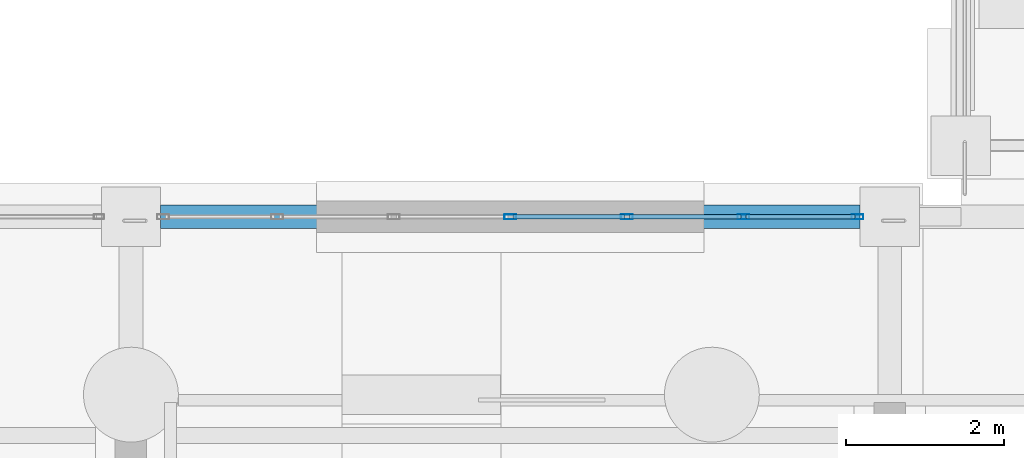
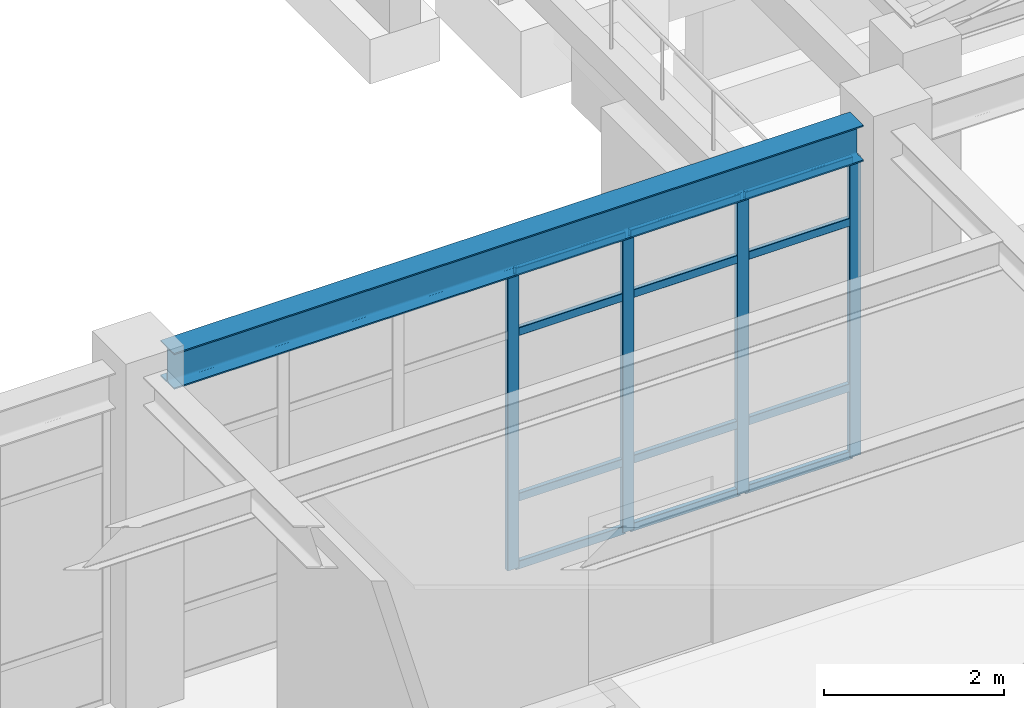
# One storey, part 51 of 111: 16 members, 1 beam, 1 element without a shape of its own.
"""IFC4 building model written with IfcOpenShell, lengths in metres."""

import ifcopenshell
import ifcopenshell.guid

model = None  # the IFC model being written
_history = None  # IfcOwnerHistory: only IFC2X3 demands one
_inside = {}  # id of a spatial element -> (the spatial element, [elements in it])
_under = {}  # id of a project, library or spatial element -> (it, [spatial elements below it])
_declared = {}  # id of a project -> (the project, [libraries it declares])
_typed = {}  # id of a type object -> (the type object, [elements of that type])
_made_of = {}  # id of a material, layer set ... -> (it, [elements and type objects made of it])


def new_model(schema):
    """Start an empty IFC model of exactly this schema.

    Asked for "IFC4X3", IfcOpenShell would pick the latest addendum, in which some entities
    have other attributes; the version numbers below select the first issue.
    IFC2X3 requires an IfcOwnerHistory on every rooted entity: one is made here for all.
    """
    global model, _history
    if schema == "IFC4X3":
        model = ifcopenshell.file(schema_version=(4, 3, 0, 0))
    else:
        model = ifcopenshell.file(schema=schema)
    _inside.clear()
    _under.clear()
    _declared.clear()
    _typed.clear()
    _made_of.clear()
    _history = None
    if model.schema == "IFC2X3":
        org = make("IfcOrganization", Name="unknown")
        user = make(
            "IfcPersonAndOrganization",
            ThePerson=make("IfcPerson", FamilyName="unknown"),
            TheOrganization=org,
        )
        app = make(
            "IfcApplication",
            ApplicationDeveloper=org,
            Version="unknown",
            ApplicationFullName="unknown",
            ApplicationIdentifier="unknown",
        )
        _history = make(
            "IfcOwnerHistory",
            OwningUser=user,
            OwningApplication=app,
            ChangeAction="ADDED",
            CreationDate=0,
        )
    return model


def make(cls, **values):
    """One entity of the class cls with the attributes given. An attribute that is None is left unset."""
    return model.create_entity(
        cls, **{name: value for name, value in values.items() if value is not None}
    )


def rooted(cls, **values):
    """An entity with a GlobalId (a new one), such as an element, a storey or a relation."""
    return make(cls, GlobalId=ifcopenshell.guid.new(), OwnerHistory=_history, **values)


def si_unit(unit_type, name, prefix=None):
    """IfcSIUnit, for example si_unit("LENGTHUNIT", "METRE", prefix="MILLI")."""
    return make("IfcSIUnit", UnitType=unit_type, Prefix=prefix, Name=name)


def assignment(units):
    """IfcUnitAssignment: the units of a project."""
    return None if units is None else make("IfcUnitAssignment", Units=units)


def point(xyz):
    """IfcCartesianPoint."""
    return None if xyz is None else make("IfcCartesianPoint", Coordinates=xyz)


def direction(xyz):
    """IfcDirection."""
    return None if xyz is None else make("IfcDirection", DirectionRatios=xyz)


def frame(location, z_axis=None, x_axis=None):
    """IfcAxis2Placement3D, a coordinate frame: its origin and axes. An axis left out is left unset."""
    return make(
        "IfcAxis2Placement3D",
        Location=point(location),
        Axis=direction(z_axis),
        RefDirection=direction(x_axis),
    )


def frame_2d(location, x_axis=None):
    """IfcAxis2Placement2D, a coordinate frame in the plane: its origin and x axis."""
    return make(
        "IfcAxis2Placement2D", Location=point(location), RefDirection=direction(x_axis)
    )


def origin():
    """The frame at (0, 0, 0) with its axes left unset."""
    return frame((0.0, 0.0, 0.0))


def origin_2d():
    """The frame at (0, 0) in the plane with its x axis left unset."""
    return frame_2d((0.0, 0.0))


def place(relative_to, where):
    """IfcLocalPlacement: puts the frame where relative to a parent placement (None: the world)."""
    return make(
        "IfcLocalPlacement", PlacementRelTo=relative_to, RelativePlacement=where
    )


def context(
    kind, dimensions, precision=None, world=None, true_north=None, identifier=None
):
    """IfcGeometricRepresentationContext, for example the 3D "Model" context."""
    return make(
        "IfcGeometricRepresentationContext",
        ContextIdentifier=identifier,
        ContextType=kind,
        CoordinateSpaceDimension=dimensions,
        Precision=precision,
        WorldCoordinateSystem=world,
        TrueNorth=true_north,
    )


def subcontext(parent, identifier, kind, view, scale=None):
    """IfcGeometricRepresentationSubContext, for example "Body" below "Model"."""
    return make(
        "IfcGeometricRepresentationSubContext",
        ContextIdentifier=identifier,
        ContextType=kind,
        ParentContext=parent,
        TargetScale=scale,
        TargetView=view,
    )


def project(units=None, contexts=None):
    """IfcProject with its units and contexts."""
    return rooted(
        "IfcProject",
        Name="project",
        RepresentationContexts=contexts,
        UnitsInContext=assignment(units),
    )


def spatial(cls, under=None, at=None, **own):
    """A site, building, storey or space (cls), placed at a placement, below another one or the project."""
    s = rooted(cls, ObjectPlacement=at, **own)
    if under is not None:
        _under.setdefault(under.id(), (under, []))[1].append(s)
    return s


def profile(cls, at=None, kind="AREA", **sizes):
    """A parametric profile (cls). Its sizes go by their IFC names, for example OverallWidth=200.0."""
    return make(cls, ProfileType=kind, Position=at, **sizes)


def hollow_rectangle(**sizes):
    """IfcRectangleHollowProfileDef."""
    return profile("IfcRectangleHollowProfileDef", **sizes)


def i_section(**sizes):
    """IfcIShapeProfileDef."""
    return profile("IfcIShapeProfileDef", **sizes)


def extrude(swept, where, along, depth):
    """IfcExtrudedAreaSolid: the profile swept, set in the frame where, extruded along a direction by depth."""
    return make(
        "IfcExtrudedAreaSolid",
        SweptArea=swept,
        Position=where,
        ExtrudedDirection=direction(along),
        Depth=depth,
    )


def shape(context_of_items, identifier, shape_type, items):
    """IfcShapeRepresentation: the items that make up one representation, for example the "Body"."""
    return make(
        "IfcShapeRepresentation",
        ContextOfItems=context_of_items,
        RepresentationIdentifier=identifier,
        RepresentationType=shape_type,
        Items=items,
    )


def material(Name=None, Category=None):
    """IfcMaterial."""
    return make("IfcMaterial", Name=Name, Category=Category)


def material_profile(
    of_material, cross_section, Name=None, Category=None, Priority=None
):
    """IfcMaterialProfile: a cross section and its material."""
    return make(
        "IfcMaterialProfile",
        Name=Name,
        Material=of_material,
        Profile=cross_section,
        Priority=Priority,
        Category=Category,
    )


def profile_set(profiles, Name=None, composite=None):
    """IfcMaterialProfileSet."""
    return make(
        "IfcMaterialProfileSet",
        Name=Name,
        MaterialProfiles=profiles,
        CompositeProfile=composite,
    )


def made_of(thing, what):
    """Note that an element or type object is made of a material, layer set ...; save() writes the relation."""
    if what is not None:
        _made_of.setdefault(what.id(), (what, []))[1].append(thing)
    return thing


def type_object(cls, material=None, **own):
    """A type object (cls), such as IfcWallType, which elements share."""
    return made_of(rooted(cls, **own), material)


def element(
    cls,
    number,
    at=None,
    inside=None,
    cuts=None,
    type_object=None,
    material=None,
    context=None,
    identifier="Body",
    shape_type=None,
    held_by="IfcProductDefinitionShape",
    body=None,
    shapes=None,
    **own,
):
    """One element of the class cls, such as IfcWall. Its Tag is "e" and its number.

    at: its placement. inside: the storey or other place that contains it. cuts: it is an
    opening in that element (IfcRelVoidsElement). A single representation is given by context,
    identifier, shape_type and body (its items); several are given by shapes. held_by: the class
    of the entity that holds the representations. save() writes the other relations.
    """
    e = rooted(cls, Tag="e%d" % number, ObjectPlacement=at, **own)
    if body is not None:
        shapes = [shape(context, identifier, shape_type, body)]
    if shapes is not None:
        e.Representation = make(held_by, Representations=shapes)
    if inside is not None:
        _inside.setdefault(inside.id(), (inside, []))[1].append(e)
    if cuts is not None:
        rooted(
            "IfcRelVoidsElement", RelatingBuildingElement=cuts, RelatedOpeningElement=e
        )
    if type_object is not None:
        _typed.setdefault(type_object.id(), (type_object, []))[1].append(e)
    return made_of(e, material)


def aggregate(whole, parts):
    """IfcRelAggregates: a whole, such as a stair, and the parts it consists of."""
    return rooted("IfcRelAggregates", RelatingObject=whole, RelatedObjects=parts)


def save(model, path):
    """Write the relations noted so far, then the file.

    IfcRelAggregates (storeys below a building ...), IfcRelContainedInSpatialStructure (elements
    in a storey), IfcRelDefinesByType, IfcRelAssociatesMaterial and IfcRelDeclares: one each for
    every whole, place, type object, material and project.
    """
    for whole, parts in _under.values():
        aggregate(whole, parts)
    for where, things in _inside.values():
        rooted(
            "IfcRelContainedInSpatialStructure",
            RelatedElements=things,
            RelatingStructure=where,
        )
    for kind, things in _typed.values():
        rooted("IfcRelDefinesByType", RelatedObjects=things, RelatingType=kind)
    for what, things in _made_of.values():
        rooted("IfcRelAssociatesMaterial", RelatedObjects=things, RelatingMaterial=what)
    for by, libraries in _declared.values():
        rooted("IfcRelDeclares", RelatingContext=by, RelatedDefinitions=libraries)
    model.write(path)


model = new_model("IFC4")

# Units and contexts
model_context = context("Model", 3, precision=1e-05, world=origin(), true_north=direction((0.0, 1.0)))
body_context = subcontext(model_context, "Body", "Model", "MODEL_VIEW")
ifc_project = project(units=[si_unit("LENGTHUNIT", "METRE"), si_unit("AREAUNIT", "SQUARE_METRE"), si_unit("VOLUMEUNIT", "CUBIC_METRE"), si_unit("PLANEANGLEUNIT", "RADIAN"), si_unit("MASSUNIT", "GRAM", prefix="KILO")], contexts=[model_context])

# Site, building, storey
site_placement = place(None, origin())
site = spatial("IfcSite", under=ifc_project, at=site_placement, CompositionType="ELEMENT")
building_placement = place(site_placement, origin())
building = spatial("IfcBuilding", under=site, at=building_placement, Name="Canglan Escarpment Cableway Terminal", CompositionType="ELEMENT")
storey_placement = place(building_placement, frame((0.0, 0.0, 4.800048828125)))
storey = spatial("IfcBuildingStorey", under=building, at=storey_placement, Name="L01", CompositionType="ELEMENT", Elevation=4.800048828125)

# Beam
ifc_material_1 = material(Name="Steel Q355B", Category="steel")
ifc_material_profile_1 = material_profile(ifc_material_1, i_section(OverallWidth=0.300048828125, OverallDepth=0.488037109375, WebThickness=0.010986328125, FlangeThickness=0.01806640625, FilletRadius=0.02587890625, at=origin_2d()), Name="HM 488x300x11x18")
ifc_profile_set_1 = profile_set([ifc_material_profile_1], Name="Steel Q355B")
beam_type = type_object("IfcBeamType", Name="BM-HM488", PredefinedType="BEAM", material=ifc_profile_set_1)
beam_placement = place(storey_placement, frame((157.175048828125, 33.10009765625, 4.305908203125), z_axis=(1.0, 0.0, 0.0), x_axis=(0.0, 1.0, 0.0)))
element("IfcBeam", 1, at=beam_placement, inside=storey, type_object=beam_type, Name="Primary structural girder B-09", PredefinedType="BEAM", context=body_context, shape_type="SweptSolid", body=[
    extrude(i_section(OverallWidth=0.300048828125, OverallDepth=0.488037109375, WebThickness=0.010986328125, FlangeThickness=0.01806640625, FilletRadius=0.02587890625, at=origin_2d()), origin(), (0.0, 0.0, 1.0), 8.849853515625),
])

# Curtain wall, members
ifc_material_2 = material(Name="Anodized bronze aluminium and Low-E double glazing", Category="aluminium")
curtain_wall_type = type_object("IfcCurtainWallType", Name="CW-BAY-8850x4050", PredefinedType="NOTDEFINED", material=ifc_material_2)
curtain_wall_placement = place(storey_placement, origin())
curtain_wall = element("IfcCurtainWall", 2, at=curtain_wall_placement, inside=storey, type_object=curtain_wall_type, Name="Classical bay-between-piers glazed curtain wall CW-25", PredefinedType="NOTDEFINED")
ifc_material_3 = material(Name="Thermally broken anodized aluminium 6063-T6", Category="aluminium")
ifc_material_profile_2 = material_profile(ifc_material_3, hollow_rectangle(XDim=0.06494140625, YDim=0.14990234375, WallThickness=0.00341796875, InnerFilletRadius=0.00341796875, OuterFilletRadius=0.007080078125, at=origin_2d()), Name="ALU-MULL 65x150x3.5")
ifc_profile_set_2 = profile_set([ifc_material_profile_2], Name="Thermally broken anodized aluminium 6063-T6")
member_type_1 = type_object("IfcMemberType", Name="CWM-02", PredefinedType="MULLION", material=ifc_profile_set_2)
member_1_placement = place(storey_placement, frame((165.992431640625, 33.10009765625, 0.0), z_axis=(0.0, 0.0, 1.0), x_axis=(0.0, -1.0, 0.0)))
member_1 = element("IfcMember", 3, at=member_1_placement, type_object=member_type_1, Name="CW-25 mullion 1", PredefinedType="MULLION", context=body_context, shape_type="SweptSolid", body=[
    extrude(hollow_rectangle(XDim=0.06494140625, YDim=0.14990234375, WallThickness=0.00341796875, InnerFilletRadius=0.00341796875, OuterFilletRadius=0.007080078125, at=origin_2d()), origin(), (0.0, 0.0, 1.0), 4.046875),
])
member_2_placement = place(storey_placement, frame((164.550048828125, 33.10009765625, 0.0), z_axis=(0.0, 0.0, 1.0), x_axis=(0.0, -1.0, 0.0)))
member_2 = element("IfcMember", 4, at=member_2_placement, type_object=member_type_1, Name="CW-25 mullion 2", PredefinedType="MULLION", context=body_context, shape_type="SweptSolid", body=[
    extrude(hollow_rectangle(XDim=0.06494140625, YDim=0.14990234375, WallThickness=0.00341796875, InnerFilletRadius=0.00341796875, OuterFilletRadius=0.007080078125, at=origin_2d()), origin(), (0.0, 0.0, 1.0), 4.046875),
])
member_3_placement = place(storey_placement, frame((163.074951171875, 33.10009765625, 0.0), z_axis=(0.0, 0.0, 1.0), x_axis=(0.0, -1.0, 0.0)))
member_3 = element("IfcMember", 5, at=member_3_placement, type_object=member_type_1, Name="CW-25 mullion 3", PredefinedType="MULLION", context=body_context, shape_type="SweptSolid", body=[
    extrude(hollow_rectangle(XDim=0.06494140625, YDim=0.14990234375, WallThickness=0.00341796875, InnerFilletRadius=0.00341796875, OuterFilletRadius=0.007080078125, at=origin_2d()), origin(), (0.0, 0.0, 1.0), 4.046875),
])
member_4_placement = place(storey_placement, frame((161.60009765625, 33.10009765625, 0.0), z_axis=(0.0, 0.0, 1.0), x_axis=(0.0, -1.0, 0.0)))
member_4 = element("IfcMember", 6, at=member_4_placement, type_object=member_type_1, Name="CW-25 mullion 4", PredefinedType="MULLION", context=body_context, shape_type="SweptSolid", body=[
    extrude(hollow_rectangle(XDim=0.06494140625, YDim=0.14990234375, WallThickness=0.00341796875, InnerFilletRadius=0.00341796875, OuterFilletRadius=0.007080078125, at=origin_2d()), origin(), (0.0, 0.0, 1.0), 4.046875),
])
ifc_material_profile_3 = material_profile(ifc_material_3, hollow_rectangle(XDim=0.06005859375, YDim=0.110107421875, WallThickness=0.0029296875, InnerFilletRadius=0.0029296875, OuterFilletRadius=0.006103515625, at=origin_2d()), Name="ALU-TRAN 60x110x3")
ifc_profile_set_3 = profile_set([ifc_material_profile_3], Name="Thermally broken anodized aluminium 6063-T6")
member_type_2 = type_object("IfcMemberType", Name="CWT-02", PredefinedType="USERDEFINED", material=ifc_profile_set_3)
member_5_placement = place(storey_placement, frame((165.9599609375, 33.10009765625, 0.030029296875), z_axis=(-1.0, 0.0, 0.0), x_axis=(0.0, -1.0, 0.0)))
member_5 = element("IfcMember", 7, at=member_5_placement, type_object=member_type_2, Name="CW-25 transom 1.1", ObjectType="TRANSOM", PredefinedType="USERDEFINED", context=body_context, shape_type="SweptSolid", body=[
    extrude(hollow_rectangle(XDim=0.06005859375, YDim=0.110107421875, WallThickness=0.0029296875, InnerFilletRadius=0.0029296875, OuterFilletRadius=0.006103515625, at=origin_2d()), origin(), (0.0, 0.0, 1.0), 1.37744140625),
])
member_6_placement = place(storey_placement, frame((165.9599609375, 33.10009765625, 0.949951171875), z_axis=(-1.0, 0.0, 0.0), x_axis=(0.0, -1.0, 0.0)))
member_6 = element("IfcMember", 8, at=member_6_placement, type_object=member_type_2, Name="CW-25 transom 1.2", ObjectType="TRANSOM", PredefinedType="USERDEFINED", context=body_context, shape_type="SweptSolid", body=[
    extrude(hollow_rectangle(XDim=0.06005859375, YDim=0.110107421875, WallThickness=0.0029296875, InnerFilletRadius=0.0029296875, OuterFilletRadius=0.006103515625, at=origin_2d()), origin(), (0.0, 0.0, 1.0), 1.37744140625),
])
member_7_placement = place(storey_placement, frame((165.9599609375, 33.10009765625, 3.197021484375), z_axis=(-1.0, 0.0, 0.0), x_axis=(0.0, -1.0, 0.0)))
member_7 = element("IfcMember", 9, at=member_7_placement, type_object=member_type_2, Name="CW-25 transom 1.3", ObjectType="TRANSOM", PredefinedType="USERDEFINED", context=body_context, shape_type="SweptSolid", body=[
    extrude(hollow_rectangle(XDim=0.06005859375, YDim=0.110107421875, WallThickness=0.0029296875, InnerFilletRadius=0.0029296875, OuterFilletRadius=0.006103515625, at=origin_2d()), origin(), (0.0, 0.0, 1.0), 1.37744140625),
])
member_8_placement = place(storey_placement, frame((165.9599609375, 33.10009765625, 4.016845703125), z_axis=(-1.0, 0.0, 0.0), x_axis=(0.0, -1.0, 0.0)))
member_8 = element("IfcMember", 10, at=member_8_placement, type_object=member_type_2, Name="CW-25 transom 1.4", ObjectType="TRANSOM", PredefinedType="USERDEFINED", context=body_context, shape_type="SweptSolid", body=[
    extrude(hollow_rectangle(XDim=0.06005859375, YDim=0.110107421875, WallThickness=0.0029296875, InnerFilletRadius=0.0029296875, OuterFilletRadius=0.006103515625, at=origin_2d()), origin(), (0.0, 0.0, 1.0), 1.37744140625),
])
member_9_placement = place(storey_placement, frame((164.517578125, 33.10009765625, 0.030029296875), z_axis=(-1.0, 0.0, 0.0), x_axis=(0.0, -1.0, 0.0)))
member_9 = element("IfcMember", 11, at=member_9_placement, type_object=member_type_2, Name="CW-25 transom 2.1", ObjectType="TRANSOM", PredefinedType="USERDEFINED", context=body_context, shape_type="SweptSolid", body=[
    extrude(hollow_rectangle(XDim=0.06005859375, YDim=0.110107421875, WallThickness=0.0029296875, InnerFilletRadius=0.0029296875, OuterFilletRadius=0.006103515625, at=origin_2d()), origin(), (0.0, 0.0, 1.0), 1.41015625),
])
member_10_placement = place(storey_placement, frame((164.517578125, 33.10009765625, 0.949951171875), z_axis=(-1.0, 0.0, 0.0), x_axis=(0.0, -1.0, 0.0)))
member_10 = element("IfcMember", 12, at=member_10_placement, type_object=member_type_2, Name="CW-25 transom 2.2", ObjectType="TRANSOM", PredefinedType="USERDEFINED", context=body_context, shape_type="SweptSolid", body=[
    extrude(hollow_rectangle(XDim=0.06005859375, YDim=0.110107421875, WallThickness=0.0029296875, InnerFilletRadius=0.0029296875, OuterFilletRadius=0.006103515625, at=origin_2d()), origin(), (0.0, 0.0, 1.0), 1.41015625),
])
member_11_placement = place(storey_placement, frame((164.517578125, 33.10009765625, 3.197021484375), z_axis=(-1.0, 0.0, 0.0), x_axis=(0.0, -1.0, 0.0)))
member_11 = element("IfcMember", 13, at=member_11_placement, type_object=member_type_2, Name="CW-25 transom 2.3", ObjectType="TRANSOM", PredefinedType="USERDEFINED", context=body_context, shape_type="SweptSolid", body=[
    extrude(hollow_rectangle(XDim=0.06005859375, YDim=0.110107421875, WallThickness=0.0029296875, InnerFilletRadius=0.0029296875, OuterFilletRadius=0.006103515625, at=origin_2d()), origin(), (0.0, 0.0, 1.0), 1.41015625),
])
member_12_placement = place(storey_placement, frame((164.517578125, 33.10009765625, 4.016845703125), z_axis=(-1.0, 0.0, 0.0), x_axis=(0.0, -1.0, 0.0)))
member_12 = element("IfcMember", 14, at=member_12_placement, type_object=member_type_2, Name="CW-25 transom 2.4", ObjectType="TRANSOM", PredefinedType="USERDEFINED", context=body_context, shape_type="SweptSolid", body=[
    extrude(hollow_rectangle(XDim=0.06005859375, YDim=0.110107421875, WallThickness=0.0029296875, InnerFilletRadius=0.0029296875, OuterFilletRadius=0.006103515625, at=origin_2d()), origin(), (0.0, 0.0, 1.0), 1.41015625),
])
member_13_placement = place(storey_placement, frame((163.04248046875, 33.10009765625, 0.030029296875), z_axis=(-1.0, 0.0, 0.0), x_axis=(0.0, -1.0, 0.0)))
member_13 = element("IfcMember", 15, at=member_13_placement, type_object=member_type_2, Name="CW-25 transom 3.1", ObjectType="TRANSOM", PredefinedType="USERDEFINED", context=body_context, shape_type="SweptSolid", body=[
    extrude(hollow_rectangle(XDim=0.06005859375, YDim=0.110107421875, WallThickness=0.0029296875, InnerFilletRadius=0.0029296875, OuterFilletRadius=0.006103515625, at=origin_2d()), origin(), (0.0, 0.0, 1.0), 1.409912109375),
])
member_14_placement = place(storey_placement, frame((163.04248046875, 33.10009765625, 0.949951171875), z_axis=(-1.0, 0.0, 0.0), x_axis=(0.0, -1.0, 0.0)))
member_14 = element("IfcMember", 16, at=member_14_placement, type_object=member_type_2, Name="CW-25 transom 3.2", ObjectType="TRANSOM", PredefinedType="USERDEFINED", context=body_context, shape_type="SweptSolid", body=[
    extrude(hollow_rectangle(XDim=0.06005859375, YDim=0.110107421875, WallThickness=0.0029296875, InnerFilletRadius=0.0029296875, OuterFilletRadius=0.006103515625, at=origin_2d()), origin(), (0.0, 0.0, 1.0), 1.409912109375),
])
member_15_placement = place(storey_placement, frame((163.04248046875, 33.10009765625, 3.197021484375), z_axis=(-1.0, 0.0, 0.0), x_axis=(0.0, -1.0, 0.0)))
member_15 = element("IfcMember", 17, at=member_15_placement, type_object=member_type_2, Name="CW-25 transom 3.3", ObjectType="TRANSOM", PredefinedType="USERDEFINED", context=body_context, shape_type="SweptSolid", body=[
    extrude(hollow_rectangle(XDim=0.06005859375, YDim=0.110107421875, WallThickness=0.0029296875, InnerFilletRadius=0.0029296875, OuterFilletRadius=0.006103515625, at=origin_2d()), origin(), (0.0, 0.0, 1.0), 1.409912109375),
])
member_16_placement = place(storey_placement, frame((163.04248046875, 33.10009765625, 4.016845703125), z_axis=(-1.0, 0.0, 0.0), x_axis=(0.0, -1.0, 0.0)))
member_16 = element("IfcMember", 18, at=member_16_placement, type_object=member_type_2, Name="CW-25 transom 3.4", ObjectType="TRANSOM", PredefinedType="USERDEFINED", context=body_context, shape_type="SweptSolid", body=[
    extrude(hollow_rectangle(XDim=0.06005859375, YDim=0.110107421875, WallThickness=0.0029296875, InnerFilletRadius=0.0029296875, OuterFilletRadius=0.006103515625, at=origin_2d()), origin(), (0.0, 0.0, 1.0), 1.409912109375),
])
aggregate(curtain_wall, [member_1, member_2, member_3, member_4, member_5, member_6, member_7, member_8, member_9, member_10, member_11, member_12, member_13, member_14, member_15, member_16])

save(model, "model.ifc")
